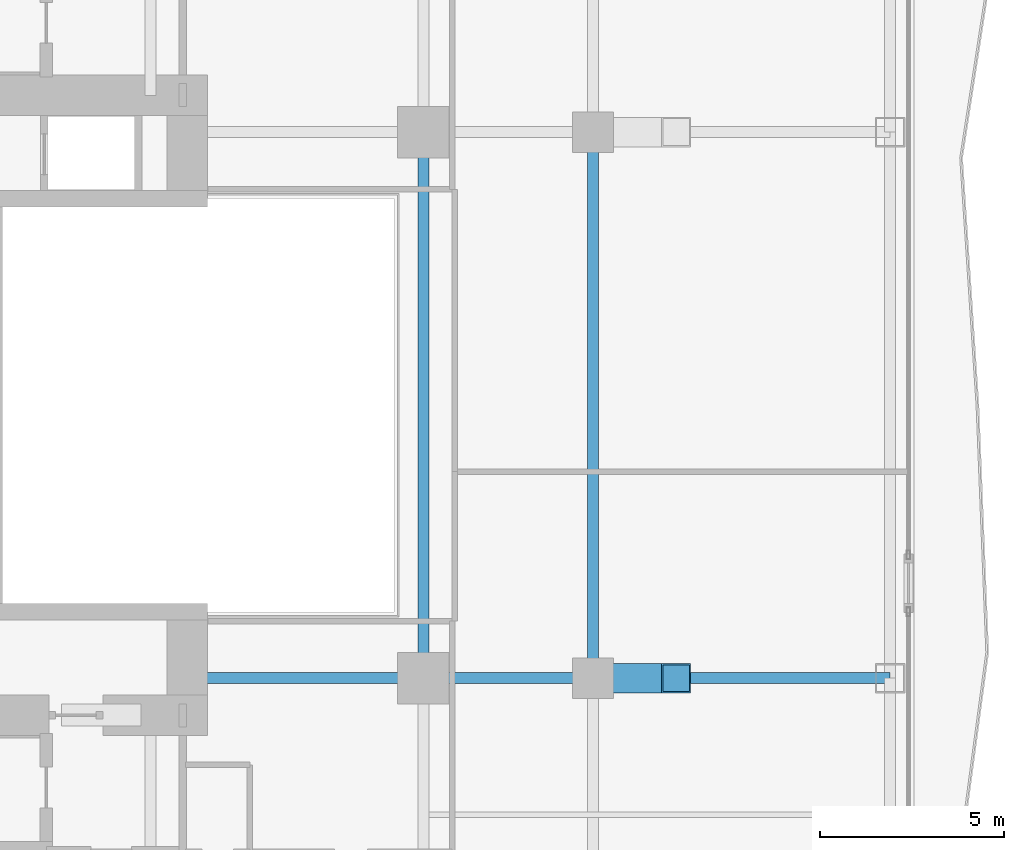
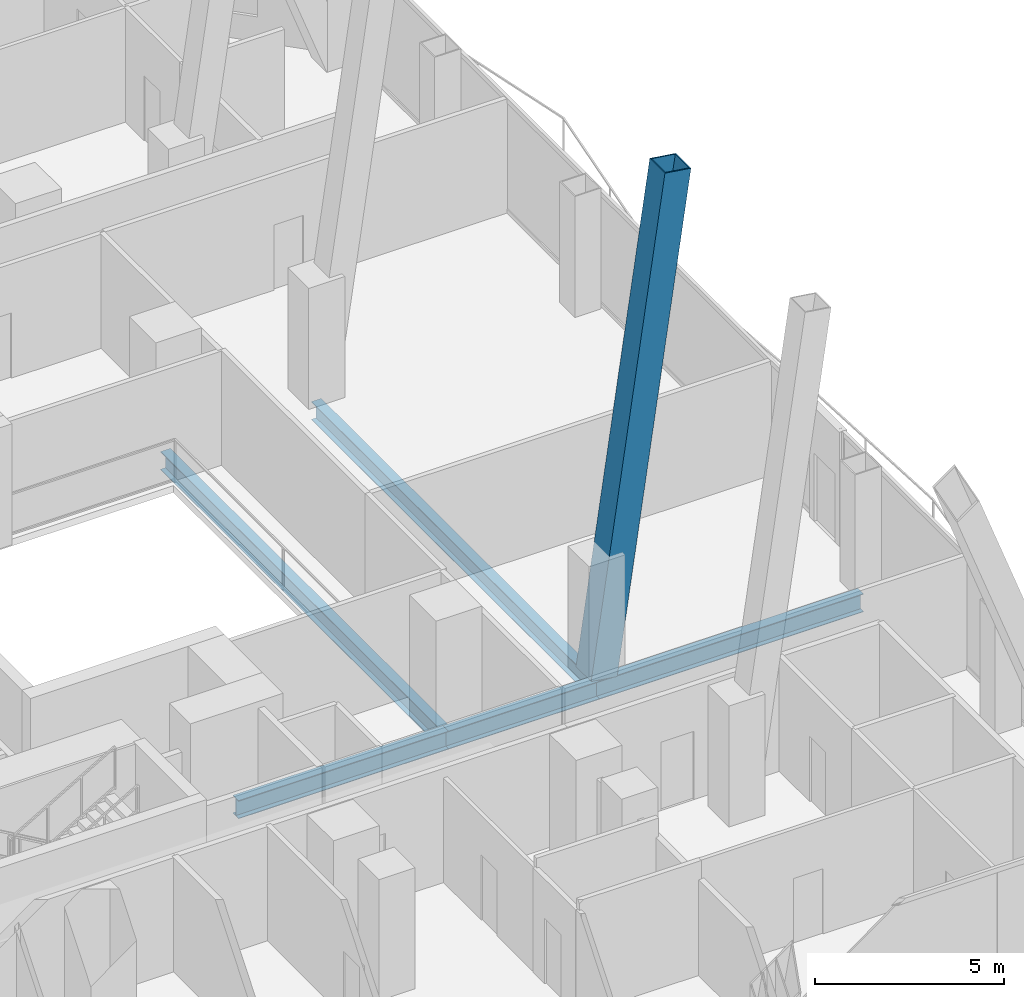
# One storey, part 13 of 33: 5 beams, 1 member.
"""IFC4 building model written with IfcOpenShell, lengths in metres."""

import ifcopenshell
import ifcopenshell.guid

model = None  # the IFC model being written
_history = None  # IfcOwnerHistory: only IFC2X3 demands one
_inside = {}  # id of a spatial element -> (the spatial element, [elements in it])
_under = {}  # id of a project, library or spatial element -> (it, [spatial elements below it])
_declared = {}  # id of a project -> (the project, [libraries it declares])
_typed = {}  # id of a type object -> (the type object, [elements of that type])
_made_of = {}  # id of a material, layer set ... -> (it, [elements and type objects made of it])


def new_model(schema):
    """Start an empty IFC model of exactly this schema.

    Asked for "IFC4X3", IfcOpenShell would pick the latest addendum, in which some entities
    have other attributes; the version numbers below select the first issue.
    IFC2X3 requires an IfcOwnerHistory on every rooted entity: one is made here for all.
    """
    global model, _history
    if schema == "IFC4X3":
        model = ifcopenshell.file(schema_version=(4, 3, 0, 0))
    else:
        model = ifcopenshell.file(schema=schema)
    _inside.clear()
    _under.clear()
    _declared.clear()
    _typed.clear()
    _made_of.clear()
    _history = None
    if model.schema == "IFC2X3":
        org = make("IfcOrganization", Name="unknown")
        user = make(
            "IfcPersonAndOrganization",
            ThePerson=make("IfcPerson", FamilyName="unknown"),
            TheOrganization=org,
        )
        app = make(
            "IfcApplication",
            ApplicationDeveloper=org,
            Version="unknown",
            ApplicationFullName="unknown",
            ApplicationIdentifier="unknown",
        )
        _history = make(
            "IfcOwnerHistory",
            OwningUser=user,
            OwningApplication=app,
            ChangeAction="ADDED",
            CreationDate=0,
        )
    return model


def make(cls, **values):
    """One entity of the class cls with the attributes given. An attribute that is None is left unset."""
    return model.create_entity(
        cls, **{name: value for name, value in values.items() if value is not None}
    )


def rooted(cls, **values):
    """An entity with a GlobalId (a new one), such as an element, a storey or a relation."""
    return make(cls, GlobalId=ifcopenshell.guid.new(), OwnerHistory=_history, **values)


def si_unit(unit_type, name, prefix=None):
    """IfcSIUnit, for example si_unit("LENGTHUNIT", "METRE", prefix="MILLI")."""
    return make("IfcSIUnit", UnitType=unit_type, Prefix=prefix, Name=name)


def assignment(units):
    """IfcUnitAssignment: the units of a project."""
    return None if units is None else make("IfcUnitAssignment", Units=units)


def point(xyz):
    """IfcCartesianPoint."""
    return None if xyz is None else make("IfcCartesianPoint", Coordinates=xyz)


def direction(xyz):
    """IfcDirection."""
    return None if xyz is None else make("IfcDirection", DirectionRatios=xyz)


def frame(location, z_axis=None, x_axis=None):
    """IfcAxis2Placement3D, a coordinate frame: its origin and axes. An axis left out is left unset."""
    return make(
        "IfcAxis2Placement3D",
        Location=point(location),
        Axis=direction(z_axis),
        RefDirection=direction(x_axis),
    )


def frame_2d(location, x_axis=None):
    """IfcAxis2Placement2D, a coordinate frame in the plane: its origin and x axis."""
    return make(
        "IfcAxis2Placement2D", Location=point(location), RefDirection=direction(x_axis)
    )


def origin():
    """The frame at (0, 0, 0) with its axes left unset."""
    return frame((0.0, 0.0, 0.0))


def origin_2d():
    """The frame at (0, 0) in the plane with its x axis left unset."""
    return frame_2d((0.0, 0.0))


def place(relative_to, where):
    """IfcLocalPlacement: puts the frame where relative to a parent placement (None: the world)."""
    return make(
        "IfcLocalPlacement", PlacementRelTo=relative_to, RelativePlacement=where
    )


def context(
    kind, dimensions, precision=None, world=None, true_north=None, identifier=None
):
    """IfcGeometricRepresentationContext, for example the 3D "Model" context."""
    return make(
        "IfcGeometricRepresentationContext",
        ContextIdentifier=identifier,
        ContextType=kind,
        CoordinateSpaceDimension=dimensions,
        Precision=precision,
        WorldCoordinateSystem=world,
        TrueNorth=true_north,
    )


def subcontext(parent, identifier, kind, view, scale=None):
    """IfcGeometricRepresentationSubContext, for example "Body" below "Model"."""
    return make(
        "IfcGeometricRepresentationSubContext",
        ContextIdentifier=identifier,
        ContextType=kind,
        ParentContext=parent,
        TargetScale=scale,
        TargetView=view,
    )


def project(units=None, contexts=None):
    """IfcProject with its units and contexts."""
    return rooted(
        "IfcProject",
        Name="project",
        RepresentationContexts=contexts,
        UnitsInContext=assignment(units),
    )


def spatial(cls, under=None, at=None, **own):
    """A site, building, storey or space (cls), placed at a placement, below another one or the project."""
    s = rooted(cls, ObjectPlacement=at, **own)
    if under is not None:
        _under.setdefault(under.id(), (under, []))[1].append(s)
    return s


def profile(cls, at=None, kind="AREA", **sizes):
    """A parametric profile (cls). Its sizes go by their IFC names, for example OverallWidth=200.0."""
    return make(cls, ProfileType=kind, Position=at, **sizes)


def hollow_rectangle(**sizes):
    """IfcRectangleHollowProfileDef."""
    return profile("IfcRectangleHollowProfileDef", **sizes)


def i_section(**sizes):
    """IfcIShapeProfileDef."""
    return profile("IfcIShapeProfileDef", **sizes)


def extrude(swept, where, along, depth):
    """IfcExtrudedAreaSolid: the profile swept, set in the frame where, extruded along a direction by depth."""
    return make(
        "IfcExtrudedAreaSolid",
        SweptArea=swept,
        Position=where,
        ExtrudedDirection=direction(along),
        Depth=depth,
    )


def shape(context_of_items, identifier, shape_type, items):
    """IfcShapeRepresentation: the items that make up one representation, for example the "Body"."""
    return make(
        "IfcShapeRepresentation",
        ContextOfItems=context_of_items,
        RepresentationIdentifier=identifier,
        RepresentationType=shape_type,
        Items=items,
    )


def material(Name=None, Category=None):
    """IfcMaterial."""
    return make("IfcMaterial", Name=Name, Category=Category)


def material_profile(
    of_material, cross_section, Name=None, Category=None, Priority=None
):
    """IfcMaterialProfile: a cross section and its material."""
    return make(
        "IfcMaterialProfile",
        Name=Name,
        Material=of_material,
        Profile=cross_section,
        Priority=Priority,
        Category=Category,
    )


def profile_set(profiles, Name=None, composite=None):
    """IfcMaterialProfileSet."""
    return make(
        "IfcMaterialProfileSet",
        Name=Name,
        MaterialProfiles=profiles,
        CompositeProfile=composite,
    )


def made_of(thing, what):
    """Note that an element or type object is made of a material, layer set ...; save() writes the relation."""
    if what is not None:
        _made_of.setdefault(what.id(), (what, []))[1].append(thing)
    return thing


def type_object(cls, material=None, **own):
    """A type object (cls), such as IfcWallType, which elements share."""
    return made_of(rooted(cls, **own), material)


def element(
    cls,
    number,
    at=None,
    inside=None,
    cuts=None,
    type_object=None,
    material=None,
    context=None,
    identifier="Body",
    shape_type=None,
    held_by="IfcProductDefinitionShape",
    body=None,
    shapes=None,
    **own,
):
    """One element of the class cls, such as IfcWall. Its Tag is "e" and its number.

    at: its placement. inside: the storey or other place that contains it. cuts: it is an
    opening in that element (IfcRelVoidsElement). A single representation is given by context,
    identifier, shape_type and body (its items); several are given by shapes. held_by: the class
    of the entity that holds the representations. save() writes the other relations.
    """
    e = rooted(cls, Tag="e%d" % number, ObjectPlacement=at, **own)
    if body is not None:
        shapes = [shape(context, identifier, shape_type, body)]
    if shapes is not None:
        e.Representation = make(held_by, Representations=shapes)
    if inside is not None:
        _inside.setdefault(inside.id(), (inside, []))[1].append(e)
    if cuts is not None:
        rooted(
            "IfcRelVoidsElement", RelatingBuildingElement=cuts, RelatedOpeningElement=e
        )
    if type_object is not None:
        _typed.setdefault(type_object.id(), (type_object, []))[1].append(e)
    return made_of(e, material)


def aggregate(whole, parts):
    """IfcRelAggregates: a whole, such as a stair, and the parts it consists of."""
    return rooted("IfcRelAggregates", RelatingObject=whole, RelatedObjects=parts)


def save(model, path):
    """Write the relations noted so far, then the file.

    IfcRelAggregates (storeys below a building ...), IfcRelContainedInSpatialStructure (elements
    in a storey), IfcRelDefinesByType, IfcRelAssociatesMaterial and IfcRelDeclares: one each for
    every whole, place, type object, material and project.
    """
    for whole, parts in _under.values():
        aggregate(whole, parts)
    for where, things in _inside.values():
        rooted(
            "IfcRelContainedInSpatialStructure",
            RelatedElements=things,
            RelatingStructure=where,
        )
    for kind, things in _typed.values():
        rooted("IfcRelDefinesByType", RelatedObjects=things, RelatingType=kind)
    for what, things in _made_of.values():
        rooted("IfcRelAssociatesMaterial", RelatedObjects=things, RelatingMaterial=what)
    for by, libraries in _declared.values():
        rooted("IfcRelDeclares", RelatingContext=by, RelatedDefinitions=libraries)
    model.write(path)


model = new_model("IFC4")

# Units and contexts
model_context = context("Model", 3, precision=1e-05, world=origin(), true_north=direction((0.0, 1.0)))
body_context = subcontext(model_context, "Body", "Model", "MODEL_VIEW")
ifc_project = project(units=[si_unit("LENGTHUNIT", "METRE"), si_unit("AREAUNIT", "SQUARE_METRE"), si_unit("VOLUMEUNIT", "CUBIC_METRE"), si_unit("PLANEANGLEUNIT", "RADIAN"), si_unit("MASSUNIT", "GRAM", prefix="KILO")], contexts=[model_context])

# Site, building, storey
site_placement = place(None, origin())
site = spatial("IfcSite", under=ifc_project, at=site_placement, CompositionType="ELEMENT")
building_placement = place(site_placement, origin())
building = spatial("IfcBuilding", under=site, at=building_placement, Name="Khorvyn Point Tower", CompositionType="ELEMENT")
storey_placement = place(building_placement, frame((0.0, 0.0, 38.39990234375)))
storey = spatial("IfcBuildingStorey", under=building, at=storey_placement, Name="L10", CompositionType="ELEMENT", Elevation=38.39990234375)

# Beams
ifc_material_1 = material(Name="Steel S355", Category="steel")
ifc_material_profile_1 = material_profile(ifc_material_1, i_section(OverallWidth=0.300048828125, OverallDepth=0.587890625, WebThickness=0.011962890625, FlangeThickness=0.02001953125, at=origin_2d()))
ifc_profile_set_1 = profile_set([ifc_material_profile_1], Name="Steel S355 H588x300x12x20")
beam_type = type_object("IfcBeamType", Name="Steel S355 Beam H588x300x12x20", PredefinedType="BEAM", material=ifc_profile_set_1)
beam_1_placement = place(storey_placement, frame((8.39990234375, -7.39990234375, -0.513916015625), z_axis=(1.0, 0.0, 0.0), x_axis=(0.0, 1.0, 0.0)))
element("IfcBeam", 1, at=beam_1_placement, inside=storey, type_object=beam_type, Name="Beam", PredefinedType="BEAM", context=body_context, shape_type="SweptSolid", body=[
    extrude(i_section(OverallWidth=0.300048828125, OverallDepth=0.587890625, WebThickness=0.011962890625, FlangeThickness=0.02001953125, at=origin_2d()), origin(), (0.0, 0.0, 1.0), 6.400146484375),
])
beam_2_placement = place(storey_placement, frame((14.800048828125, -7.39990234375, -0.513916015625), z_axis=(1.0, 0.0, 0.0), x_axis=(0.0, 1.0, 0.0)))
element("IfcBeam", 2, at=beam_2_placement, inside=storey, type_object=beam_type, Name="Beam", PredefinedType="BEAM", context=body_context, shape_type="SweptSolid", body=[
    extrude(i_section(OverallWidth=0.300048828125, OverallDepth=0.587890625, WebThickness=0.011962890625, FlangeThickness=0.02001953125, at=origin_2d()), origin(), (0.0, 0.0, 1.0), 4.599853515625),
])
beam_3_placement = place(storey_placement, frame((19.39990234375, -7.39990234375, -0.513916015625), z_axis=(1.0, 0.0, 0.0), x_axis=(0.0, 1.0, 0.0)))
element("IfcBeam", 3, at=beam_3_placement, inside=storey, type_object=beam_type, Name="Beam", PredefinedType="BEAM", context=body_context, shape_type="SweptSolid", body=[
    extrude(i_section(OverallWidth=0.300048828125, OverallDepth=0.587890625, WebThickness=0.011962890625, FlangeThickness=0.02001953125, at=origin_2d()), origin(), (0.0, 0.0, 1.0), 8.050048828125),
])
for number, where, z_axis, x_axis, name in (
    (4, (14.800048828125, -7.39990234375, -0.513916015625), (0.0, 1.0, 0.0), (-1.0, 0.0, 0.0), "Beam"),
    (5, (19.39990234375, -7.39990234375, -0.513916015625), (0.0, 1.0, 0.0), (-1.0, 0.0, 0.0), "Beam"),
):
    element("IfcBeam", number, at=place(storey_placement, frame(where, z_axis=z_axis, x_axis=x_axis)), inside=storey, type_object=beam_type, Name=name, PredefinedType="BEAM", context=body_context, shape_type="SweptSolid", body=[
        extrude(i_section(OverallWidth=0.300048828125, OverallDepth=0.587890625, WebThickness=0.011962890625, FlangeThickness=0.02001953125, at=origin_2d()), origin(), (0.0, 0.0, 1.0), 14.7998046875),
    ])

# Member
ifc_material_2 = material(Name="Steel S450", Category="steel")
ifc_material_profile_2 = material_profile(ifc_material_2, hollow_rectangle(XDim=0.800048828125, YDim=0.800048828125, WallThickness=0.035888671875, at=origin_2d()))
ifc_profile_set_2 = profile_set([ifc_material_profile_2], Name="Steel S450 BOX800x800x36")
member_type = type_object("IfcMemberType", Name="Steel S450 Exoskeleton Structural Post BOX800x800x36", PredefinedType="POST", material=ifc_profile_set_2)
member_placement = place(storey_placement, frame((19.39990234375, -7.39990234375, 0.0), z_axis=(0.142752719613, 0.0, 0.989758385184), x_axis=(0.0, 1.0, 0.0)))
element("IfcMember", 6, at=member_placement, inside=storey, type_object=member_type, Name="L10 to L14 Exoskeleton Transfer Post 12", PredefinedType="POST", context=body_context, shape_type="SweptSolid", body=[
    extrude(hollow_rectangle(XDim=0.800048828125, YDim=0.800048828125, WallThickness=0.035888671875, at=origin_2d()), origin(), (0.0, 0.0, 1.0), 15.761474609375),
])

save(model, "model.ifc")
